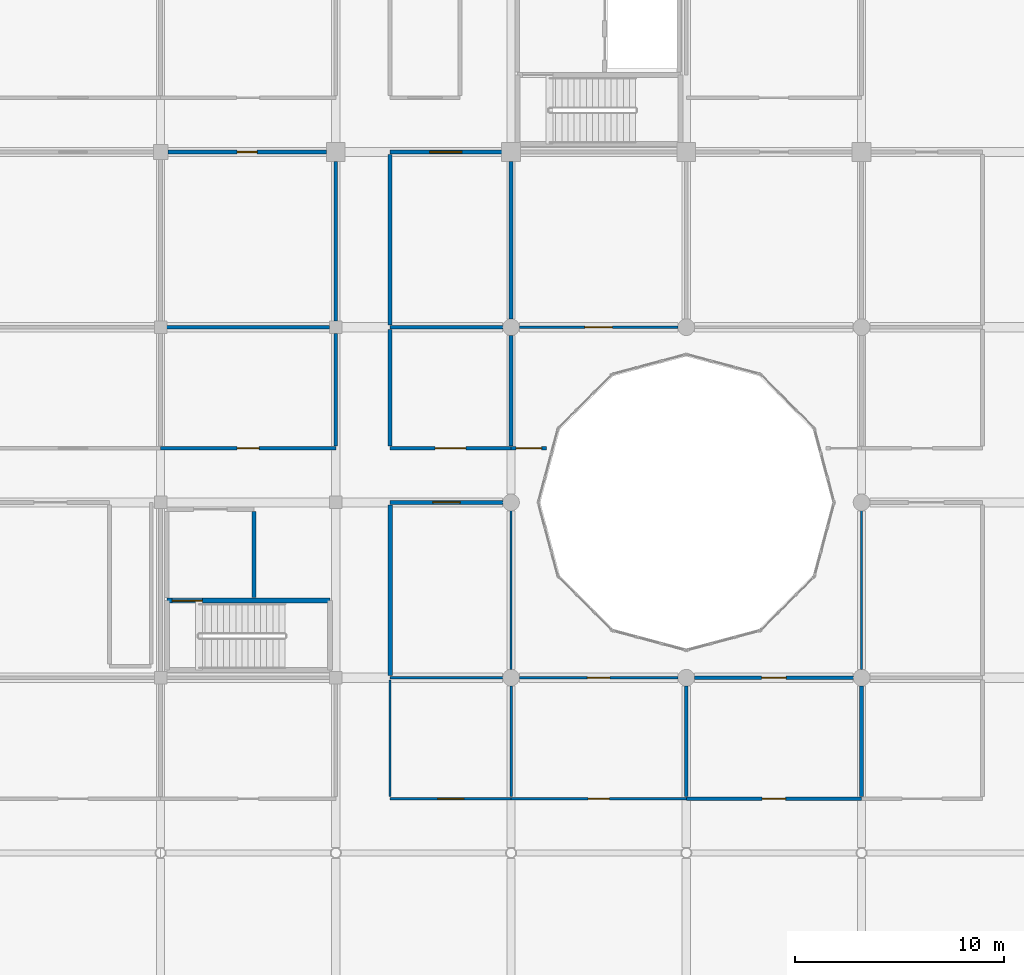
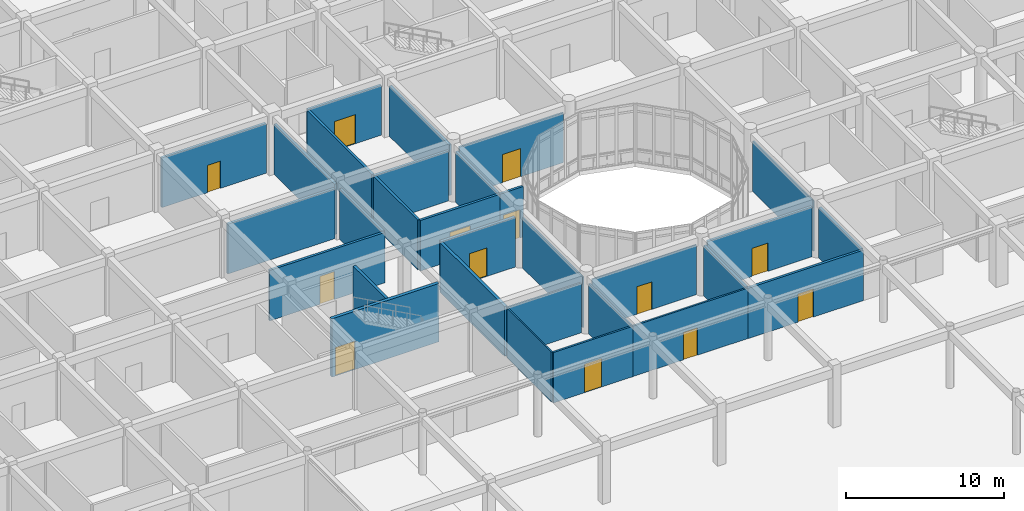
# One storey, part 102 of 138: 30 walls, 13 doors, 13 openings.
"""IFC4 building model written with IfcOpenShell, lengths in metres."""

from ifc_helpers import new_model, si_unit, direction, frame, frame_2d, origin, place, context, subcontext, project, spatial, rectangle, extrude, material, layer, layer_set, type_object, element, fill, save


model = new_model("IFC4")

# Units and contexts
model_context = context("Model", 3, precision=1e-05, world=origin(), true_north=direction((0.0, 1.0)))
body_context = subcontext(model_context, "Body", "Model", "MODEL_VIEW")
ifc_project = project(units=[si_unit("LENGTHUNIT", "METRE"), si_unit("AREAUNIT", "SQUARE_METRE"), si_unit("VOLUMEUNIT", "CUBIC_METRE"), si_unit("PLANEANGLEUNIT", "RADIAN"), si_unit("MASSUNIT", "GRAM", prefix="KILO")], contexts=[model_context])

# Site, building, storey
site_placement = place(None, origin())
site = spatial("IfcSite", under=ifc_project, at=site_placement, CompositionType="ELEMENT")
building_placement = place(site_placement, origin())
building = spatial("IfcBuilding", under=site, at=building_placement, Name="Bramfleet General Hospital", CompositionType="ELEMENT")
storey_placement = place(building_placement, origin())
storey = spatial("IfcBuildingStorey", under=building, at=storey_placement, Name="L00", CompositionType="ELEMENT", Elevation=0.0)

# Walls
ifc_material_1 = material(Name="Concrete C35/45", Category="concrete")
ifc_layer_1 = layer(ifc_material_1, 0.219970703125, Name="WT-IW-01")
ifc_layer_set_1 = layer_set([ifc_layer_1], Name="Concrete C35/45")
wall_type_1 = type_object("IfcWallType", Name="WT-IW-01", PredefinedType="PARTITIONING", material=ifc_layer_set_1)
wall_1_placement = place(storey_placement, frame((69.800048828125, 67.31494140625, 0.0), z_axis=(0.0, 0.0, 1.0), x_axis=(0.0, 1.0, 0.0)))
element("IfcWall", 1, at=wall_1_placement, inside=storey, type_object=wall_type_1, Name="L00 Interior Partition IW-L00-1045", PredefinedType="PARTITIONING", context=body_context, shape_type="SweptSolid", body=[
    extrude(rectangle(XDim=8.170166015625, YDim=0.219970703125, at=frame_2d((4.0849609375, 0.0))), origin(), (0.0, 0.0, 1.0), 3.840087890625),
])
ifc_layer_2 = layer(ifc_material_1, 0.205078125, Name="WT-IW-02")
ifc_layer_set_2 = layer_set([ifc_layer_2], Name="Concrete C35/45")
wall_type_2 = type_object("IfcWallType", Name="WT-IW-02", PredefinedType="PARTITIONING", material=ifc_layer_set_2)
wall_2_placement = place(storey_placement, frame((63.280029296875, 71.0400390625, 0.0), z_axis=(0.0, 0.0, 1.0), x_axis=(0.0, 1.0, 0.0)))
element("IfcWall", 2, at=wall_2_placement, inside=storey, type_object=wall_type_2, Name="L00 C13 Lobby East Shaft Wall", PredefinedType="PARTITIONING", context=body_context, shape_type="SweptSolid", body=[
    extrude(rectangle(XDim=4.119873046875, YDim=0.205078125, at=frame_2d((2.06005859375, 0.0))), origin(), (0.0, 0.0, 1.0), 4.489990234375),
])

# Wall, opening, door
wall_3_placement = place(storey_placement, frame((69.800048828125, 75.60009765625, 0.0), z_axis=(0.0, 0.0, 1.0), x_axis=(1.0, 0.0, 0.0)))
wall_3 = element("IfcWall", 3, at=wall_3_placement, inside=storey, type_object=wall_type_2, Name="L00 Interior Partition IW-L00-0758", PredefinedType="PARTITIONING", context=body_context, shape_type="SweptSolid", body=[
    extrude(rectangle(XDim=5.405029296875, YDim=0.205078125, at=frame_2d((2.70263671875, 0.0))), origin(), (0.0, 0.0, 1.0), 3.840087890625),
])
opening_1_placement = place(wall_3_placement, frame((2.052490234375, 0.0, 0.0)))
opening_1 = element("IfcOpeningElement", 4, at=opening_1_placement, cuts=wall_3, Name="Opening D0495", PredefinedType="OPENING", context=body_context, shape_type="SweptSolid", body=[
    extrude(rectangle(XDim=1.300048828125, YDim=2.199951171875, at=frame_2d((0.64990234375, 1.10009765625))), frame((0.0, 0.112548828125, 0.0), z_axis=(0.0, -1.0, 0.0), x_axis=(1.0, 0.0, 0.0)), (0.0, 0.0, 1.0), 0.22509765625),
])
ifc_material_2 = material(Name="Stainless steel and acoustic timber leaf", Category="steel")
door_type_1 = type_object("IfcDoorType", Name="DR-D-15", OperationType="NOTDEFINED", PredefinedType="DOOR", material=ifc_material_2)
door_1_placement = place(opening_1_placement, origin())
door_1 = element("IfcDoor", 5, at=door_1_placement, inside=storey, type_object=door_type_1, Name="Community Health Education Seminar Room 0808 Door D0495", OperationType="SINGLE_SWING_RIGHT", OverallHeight=2.199951171875, OverallWidth=1.300048828125, PredefinedType="DOOR", context=body_context, shape_type="SweptSolid", body=[
    extrude(rectangle(XDim=1.300048828125, YDim=2.199951171875, at=frame_2d((0.64990234375, 1.10009765625))), frame((0.0, 0.02490234375, 0.0), z_axis=(0.0, -1.0, 0.0), x_axis=(1.0, 0.0, 0.0)), (0.0, 0.0, 1.0), 0.050048828125),
])
fill(opening_1, door_1)

ifc_layer_3 = layer(ifc_material_1, 0.179931640625, Name="WT-IW-04")
ifc_layer_set_3 = layer_set([ifc_layer_3], Name="Concrete C35/45")
wall_type_3 = type_object("IfcWallType", Name="WT-IW-04", PredefinedType="PARTITIONING", material=ifc_layer_set_3)
wall_4_placement = place(storey_placement, frame((84.0, 61.39990234375, 0.0), z_axis=(0.0, 0.0, 1.0), x_axis=(1.0, 0.0, 0.0)))
wall_4 = element("IfcWall", 6, at=wall_4_placement, inside=storey, type_object=wall_type_3, Name="L00 Interior Partition IW-L00-0730", PredefinedType="PARTITIONING", context=body_context, shape_type="SweptSolid", body=[
    extrude(rectangle(XDim=8.39990234375, YDim=0.179931640625, at=frame_2d((4.199951171875, 0.0))), origin(), (0.0, 0.0, 1.0), 3.889892578125),
])
opening_2_placement = place(wall_4_placement, frame((3.639892578125, 0.0, 0.0)))
opening_2 = element("IfcOpeningElement", 7, at=opening_2_placement, cuts=wall_4, Name="Opening D0507", PredefinedType="OPENING", context=body_context, shape_type="SweptSolid", body=[
    extrude(rectangle(XDim=1.1201171875, YDim=2.179931640625, at=frame_2d((0.56005859375, 1.08984375))), frame((0.0, 0.099853515625, 0.0), z_axis=(0.0, -1.0, 0.0), x_axis=(1.0, 0.0, 0.0)), (0.0, 0.0, 1.0), 0.199951171875),
])
door_type_2 = type_object("IfcDoorType", Name="DR-D-27", OperationType="NOTDEFINED", PredefinedType="DOOR", material=ifc_material_2)
door_2_placement = place(opening_2_placement, origin())
door_2 = element("IfcDoor", 8, at=door_2_placement, inside=storey, type_object=door_type_2, Name="Diagnostic Ultrasound and Fluoroscopy 1007 Door D0507", OperationType="SINGLE_SWING_RIGHT", OverallHeight=2.179931640625, OverallWidth=1.1201171875, PredefinedType="DOOR", context=body_context, shape_type="SweptSolid", body=[
    extrude(rectangle(XDim=1.1201171875, YDim=2.179931640625, at=frame_2d((0.56005859375, 1.08984375))), frame((0.0, 0.02490234375, 0.0), z_axis=(0.0, -1.0, 0.0), x_axis=(1.0, 0.0, 0.0)), (0.0, 0.0, 1.0), 0.050048828125),
])
fill(opening_2, door_2)

wall_5_placement = place(storey_placement, frame((84.39501953125, 67.199951171875, 0.0), z_axis=(0.0, 0.0, 1.0), x_axis=(1.0, 0.0, 0.0)))
wall_5 = element("IfcWall", 9, at=wall_5_placement, inside=storey, type_object=wall_type_3, Name="L00 Interior Partition IW-L00-0745", PredefinedType="PARTITIONING", context=body_context, shape_type="SweptSolid", body=[
    extrude(rectangle(XDim=7.60986328125, YDim=0.179931640625, at=frame_2d((3.804931640625, 0.0))), origin(), (0.0, 0.0, 1.0), 3.840087890625),
])
opening_3_placement = place(wall_5_placement, frame((3.215087890625, 0.0, 0.0)))
opening_3 = element("IfcOpeningElement", 10, at=opening_3_placement, cuts=wall_5, Name="Opening D0508", PredefinedType="OPENING", context=body_context, shape_type="SweptSolid", body=[
    extrude(rectangle(XDim=1.179931640625, YDim=2.179931640625, at=frame_2d((0.58984375, 1.08984375))), frame((0.0, 0.099853515625, 0.0), z_axis=(0.0, -1.0, 0.0), x_axis=(1.0, 0.0, 0.0)), (0.0, 0.0, 1.0), 0.199951171875),
])
door_type_3 = type_object("IfcDoorType", Name="DR-D-28", OperationType="NOTDEFINED", PredefinedType="DOOR", material=ifc_material_2)
door_3_placement = place(opening_3_placement, origin())
door_3 = element("IfcDoor", 11, at=door_3_placement, inside=storey, type_object=door_type_3, Name="Courtyard Waiting Lounge L00-1008 Door D0508", OperationType="SINGLE_SWING_LEFT", OverallHeight=2.179931640625, OverallWidth=1.179931640625, PredefinedType="DOOR", context=body_context, shape_type="SweptSolid", body=[
    extrude(rectangle(XDim=1.179931640625, YDim=2.179931640625, at=frame_2d((0.58984375, 1.08984375))), frame((0.0, 0.02490234375, 0.0), z_axis=(0.0, -1.0, 0.0), x_axis=(1.0, 0.0, 0.0)), (0.0, 0.0, 1.0), 0.050048828125),
])
fill(opening_3, door_3)

wall_6_placement = place(storey_placement, frame((58.800048828125, 78.199951171875, 0.0), z_axis=(0.0, 0.0, 1.0), x_axis=(1.0, 0.0, 0.0)))
wall_6 = element("IfcWall", 12, at=wall_6_placement, inside=storey, type_object=wall_type_3, Name="L00 Interior Partition IW-L00-0771", PredefinedType="PARTITIONING", context=body_context, shape_type="SweptSolid", body=[
    extrude(rectangle(XDim=8.39990234375, YDim=0.179931640625, at=frame_2d((4.199951171875, 0.0))), origin(), (0.0, 0.0, 1.0), 3.889892578125),
])
opening_4_placement = place(wall_6_placement, frame((3.675048828125, 0.0, 0.0)))
opening_4 = element("IfcOpeningElement", 13, at=opening_4_placement, cuts=wall_6, Name="Opening D0489", PredefinedType="OPENING", context=body_context, shape_type="SweptSolid", body=[
    extrude(rectangle(XDim=1.050048828125, YDim=2.14990234375, at=frame_2d((0.52490234375, 1.074951171875))), frame((0.0, 0.099853515625, 0.0), z_axis=(0.0, -1.0, 0.0), x_axis=(1.0, 0.0, 0.0)), (0.0, 0.0, 1.0), 0.199951171875),
])
door_type_4 = type_object("IfcDoorType", Name="DR-D-09", OperationType="NOTDEFINED", PredefinedType="DOOR", material=ifc_material_2)
door_4_placement = place(opening_4_placement, origin())
door_4 = element("IfcDoor", 14, at=door_4_placement, inside=storey, type_object=door_type_4, Name="Diagnostic Ultrasound and Fluoroscopy 0709 Door D0489", OperationType="SINGLE_SWING_RIGHT", OverallHeight=2.14990234375, OverallWidth=1.050048828125, PredefinedType="DOOR", context=body_context, shape_type="SweptSolid", body=[
    extrude(rectangle(XDim=1.050048828125, YDim=2.14990234375, at=frame_2d((0.52490234375, 1.074951171875))), frame((0.0, 0.02490234375, 0.0), z_axis=(0.0, -1.0, 0.0), x_axis=(1.0, 0.0, 0.0)), (0.0, 0.0, 1.0), 0.050048828125),
])
fill(opening_4, door_4)

wall_7_placement = place(storey_placement, frame((69.800048828125, 78.199951171875, 0.0), z_axis=(0.0, 0.0, 1.0), x_axis=(1.0, 0.0, 0.0)))
wall_7 = element("IfcWall", 15, at=wall_7_placement, inside=storey, type_object=wall_type_3, Name="L00 Interior Partition IW-L00-0772", PredefinedType="PARTITIONING", context=body_context, shape_type="SweptSolid", body=[
    extrude(rectangle(XDim=5.800048828125, YDim=0.179931640625, at=frame_2d((2.89990234375, 0.0))), origin(), (0.0, 0.0, 1.0), 3.889892578125),
])
opening_5_placement = place(wall_7_placement, frame((2.159912109375, 0.0, 0.0)))
opening_5 = element("IfcOpeningElement", 16, at=opening_5_placement, cuts=wall_7, Name="Opening D0496", PredefinedType="OPENING", context=body_context, shape_type="SweptSolid", body=[
    extrude(rectangle(XDim=1.47998046875, YDim=2.219970703125, at=frame_2d((0.739990234375, 1.10986328125))), frame((0.0, 0.099853515625, 0.0), z_axis=(0.0, -1.0, 0.0), x_axis=(1.0, 0.0, 0.0)), (0.0, 0.0, 1.0), 0.199951171875),
])
door_type_5 = type_object("IfcDoorType", Name="DR-D-16", OperationType="NOTDEFINED", PredefinedType="DOOR", material=ifc_material_2)
door_5_placement = place(opening_5_placement, origin())
door_5 = element("IfcDoor", 17, at=door_5_placement, inside=storey, type_object=door_type_5, Name="Diagnostic Ultrasound and Fluoroscopy 0809 Door D0496", OperationType="SINGLE_SWING_LEFT", OverallHeight=2.219970703125, OverallWidth=1.47998046875, PredefinedType="DOOR", context=body_context, shape_type="SweptSolid", body=[
    extrude(rectangle(XDim=1.47998046875, YDim=2.219970703125, at=frame_2d((0.739990234375, 1.10986328125))), frame((0.0, 0.02490234375, 0.0), z_axis=(0.0, -1.0, 0.0), x_axis=(1.0, 0.0, 0.0)), (0.0, 0.0, 1.0), 0.050048828125),
])
fill(opening_5, door_5)

# Walls
wall_8_placement = place(storey_placement, frame((59.094970703125, 84.0, 0.0), z_axis=(0.0, 0.0, 1.0), x_axis=(1.0, 0.0, 0.0)))
element("IfcWall", 18, at=wall_8_placement, inside=storey, type_object=wall_type_3, Name="L00 Interior Partition IW-L00-0788", PredefinedType="PARTITIONING", context=body_context, shape_type="SweptSolid", body=[
    extrude(rectangle(XDim=7.81005859375, YDim=0.179931640625, at=frame_2d((3.905029296875, 0.0))), origin(), (0.0, 0.0, 1.0), 3.840087890625),
])
wall_9_placement = place(storey_placement, frame((69.800048828125, 84.0, 0.0), z_axis=(0.0, 0.0, 1.0), x_axis=(1.0, 0.0, 0.0)))
element("IfcWall", 19, at=wall_9_placement, inside=storey, type_object=wall_type_3, Name="L00 Interior Partition IW-L00-0789", PredefinedType="PARTITIONING", context=body_context, shape_type="SweptSolid", body=[
    extrude(rectangle(XDim=5.405029296875, YDim=0.179931640625, at=frame_2d((2.70263671875, 0.0))), origin(), (0.0, 0.0, 1.0), 3.840087890625),
])

# Wall, opening, door
wall_10_placement = place(storey_placement, frame((59.14501953125, 92.39990234375, 0.0), z_axis=(0.0, 0.0, 1.0), x_axis=(1.0, 0.0, 0.0)))
wall_10 = element("IfcWall", 20, at=wall_10_placement, inside=storey, type_object=wall_type_3, Name="L00 Interior Partition IW-L00-0807", PredefinedType="PARTITIONING", context=body_context, shape_type="SweptSolid", body=[
    extrude(rectangle(XDim=7.60986328125, YDim=0.179931640625, at=frame_2d((3.804931640625, 0.0))), origin(), (0.0, 0.0, 1.0), 3.840087890625),
])
opening_6_placement = place(wall_10_placement, frame((3.330078125, 0.0, 0.0)))
opening_6 = element("IfcOpeningElement", 21, at=opening_6_placement, cuts=wall_10, Name="Opening D0490", PredefinedType="OPENING", context=body_context, shape_type="SweptSolid", body=[
    extrude(rectangle(XDim=0.949951171875, YDim=2.10009765625, at=frame_2d((0.47509765625, 1.050048828125))), frame((0.0, 0.099853515625, 0.0), z_axis=(0.0, -1.0, 0.0), x_axis=(1.0, 0.0, 0.0)), (0.0, 0.0, 1.0), 0.199951171875),
])
door_type_6 = type_object("IfcDoorType", Name="DR-D-10", OperationType="NOTDEFINED", PredefinedType="DOOR", material=ifc_material_2)
door_6_placement = place(opening_6_placement, origin())
door_6 = element("IfcDoor", 22, at=door_6_placement, inside=storey, type_object=door_type_6, Name="Diagnostic Ultrasound and Fluoroscopy 0710 Door D0490", OperationType="SINGLE_SWING_LEFT", OverallHeight=2.10009765625, OverallWidth=0.949951171875, PredefinedType="DOOR", context=body_context, shape_type="SweptSolid", body=[
    extrude(rectangle(XDim=0.949951171875, YDim=2.10009765625, at=frame_2d((0.47509765625, 1.050048828125))), frame((0.0, 0.02490234375, 0.0), z_axis=(0.0, -1.0, 0.0), x_axis=(1.0, 0.0, 0.0)), (0.0, 0.0, 1.0), 0.050048828125),
])
fill(opening_6, door_6)

wall_11_placement = place(storey_placement, frame((69.800048828125, 92.39990234375, 0.0), z_axis=(0.0, 0.0, 1.0), x_axis=(1.0, 0.0, 0.0)))
wall_11 = element("IfcWall", 23, at=wall_11_placement, inside=storey, type_object=wall_type_3, Name="L00 Interior Partition IW-L00-0808", PredefinedType="PARTITIONING", context=body_context, shape_type="SweptSolid", body=[
    extrude(rectangle(XDim=5.35498046875, YDim=0.179931640625, at=frame_2d((2.677490234375, 0.0))), origin(), (0.0, 0.0, 1.0), 3.840087890625),
])
opening_7_placement = place(wall_11_placement, frame((1.907470703125, 0.0, 0.0)))
opening_7 = element("IfcOpeningElement", 24, at=opening_7_placement, cuts=wall_11, Name="Opening D0497", PredefinedType="OPENING", context=body_context, shape_type="SweptSolid", body=[
    extrude(rectangle(XDim=1.5400390625, YDim=2.239990234375, at=frame_2d((0.77001953125, 1.1201171875))), frame((0.0, 0.099853515625, 0.0), z_axis=(0.0, -1.0, 0.0), x_axis=(1.0, 0.0, 0.0)), (0.0, 0.0, 1.0), 0.199951171875),
])
door_type_7 = type_object("IfcDoorType", Name="DR-D-17", OperationType="NOTDEFINED", PredefinedType="DOOR", material=ifc_material_2)
door_7_placement = place(opening_7_placement, origin())
door_7 = element("IfcDoor", 25, at=door_7_placement, inside=storey, type_object=door_type_7, Name="Diagnostic Ultrasound and Fluoroscopy 0810 Door D0497", OperationType="SINGLE_SWING_RIGHT", OverallHeight=2.239990234375, OverallWidth=1.5400390625, PredefinedType="DOOR", context=body_context, shape_type="SweptSolid", body=[
    extrude(rectangle(XDim=1.5400390625, YDim=2.239990234375, at=frame_2d((0.77001953125, 1.1201171875))), frame((0.0, 0.02490234375, 0.0), z_axis=(0.0, -1.0, 0.0), x_axis=(1.0, 0.0, 0.0)), (0.0, 0.0, 1.0), 0.050048828125),
])
fill(opening_7, door_7)

# Walls
wall_12_placement = place(storey_placement, frame((67.199951171875, 78.31494140625, 0.0), z_axis=(0.0, 0.0, 1.0), x_axis=(0.0, 1.0, 0.0)))
element("IfcWall", 26, at=wall_12_placement, inside=storey, type_object=wall_type_3, Name="L00 Interior Partition IW-L00-1039", PredefinedType="PARTITIONING", context=body_context, shape_type="SweptSolid", body=[
    extrude(rectangle(XDim=5.39013671875, YDim=0.179931640625, at=frame_2d((2.695068359375, 0.0))), origin(), (0.0, 0.0, 1.0), 3.889892578125),
])
wall_13_placement = place(storey_placement, frame((67.199951171875, 84.294921875, 0.0), z_axis=(0.0, 0.0, 1.0), x_axis=(0.0, 1.0, 0.0)))
element("IfcWall", 27, at=wall_13_placement, inside=storey, type_object=wall_type_3, Name="L00 Interior Partition IW-L00-1040", PredefinedType="PARTITIONING", context=body_context, shape_type="SweptSolid", body=[
    extrude(rectangle(XDim=7.66015625, YDim=0.179931640625, at=frame_2d((3.830078125, 0.0))), origin(), (0.0, 0.0, 1.0), 3.889892578125),
])
wall_14_placement = place(storey_placement, frame((69.800048828125, 78.31494140625, 0.0), z_axis=(0.0, 0.0, 1.0), x_axis=(0.0, 1.0, 0.0)))
element("IfcWall", 28, at=wall_14_placement, inside=storey, type_object=wall_type_3, Name="L00 Interior Partition IW-L00-1046", PredefinedType="PARTITIONING", context=body_context, shape_type="SweptSolid", body=[
    extrude(rectangle(XDim=5.570068359375, YDim=0.179931640625, at=frame_2d((2.78515625, 0.0))), origin(), (0.0, 0.0, 1.0), 3.840087890625),
])
wall_15_placement = place(storey_placement, frame((69.800048828125, 84.114990234375, 0.0), z_axis=(0.0, 0.0, 1.0), x_axis=(0.0, 1.0, 0.0)))
element("IfcWall", 29, at=wall_15_placement, inside=storey, type_object=wall_type_3, Name="L00 Interior Partition IW-L00-1047", PredefinedType="PARTITIONING", context=body_context, shape_type="SweptSolid", body=[
    extrude(rectangle(XDim=8.169921875, YDim=0.179931640625, at=frame_2d((4.0849609375, 0.0))), origin(), (0.0, 0.0, 1.0), 3.840087890625),
])
wall_16_placement = place(storey_placement, frame((75.60009765625, 78.31494140625, 0.0), z_axis=(0.0, 0.0, 1.0), x_axis=(0.0, 1.0, 0.0)))
element("IfcWall", 30, at=wall_16_placement, inside=storey, type_object=wall_type_3, Name="L00 Interior Partition IW-L00-1056", PredefinedType="PARTITIONING", context=body_context, shape_type="SweptSolid", body=[
    extrude(rectangle(XDim=5.2900390625, YDim=0.179931640625, at=frame_2d((2.64501953125, 0.0))), origin(), (0.0, 0.0, 1.0), 3.889892578125),
])
wall_17_placement = place(storey_placement, frame((75.60009765625, 84.39501953125, 0.0), z_axis=(0.0, 0.0, 1.0), x_axis=(0.0, 1.0, 0.0)))
element("IfcWall", 31, at=wall_17_placement, inside=storey, type_object=wall_type_3, Name="L00 Interior Partition IW-L00-1057", PredefinedType="PARTITIONING", context=body_context, shape_type="SweptSolid", body=[
    extrude(rectangle(XDim=7.56005859375, YDim=0.179931640625, at=frame_2d((3.780029296875, 0.0))), origin(), (0.0, 0.0, 1.0), 3.889892578125),
])
for number, where, z_axis, x_axis, name in (
    (32, (84.0, 61.514892578125, 0.0), (0.0, 0.0, 1.0), (0.0, 1.0, 0.0), "L00 Interior Partition IW-L00-1060"),
    (33, (92.39990234375, 61.514892578125, 0.0), (0.0, 0.0, 1.0), (0.0, 1.0, 0.0), "L00 Interior Partition IW-L00-1067"),
):
    element("IfcWall", number, at=place(storey_placement, frame(where, z_axis=z_axis, x_axis=x_axis)), inside=storey, type_object=wall_type_3, Name=name, PredefinedType="PARTITIONING", context=body_context, shape_type="SweptSolid", body=[
        extrude(rectangle(XDim=5.2900390625, YDim=0.179931640625, at=frame_2d((2.64501953125, 0.0))), origin(), (0.0, 0.0, 1.0), 3.889892578125),
    ])

# Wall, opening, door
ifc_material_3 = material(Name="Gypsum plasterboard on acoustic steel studs", Category="steel")
ifc_layer_4 = layer(ifc_material_3, 0.169921875, Name="WT-IW-05")
ifc_layer_set_4 = layer_set([ifc_layer_4], Name="Gypsum plasterboard on acoustic steel studs")
wall_type_4 = type_object("IfcWallType", Name="WT-IW-05", PredefinedType="PARTITIONING", material=ifc_layer_set_4)
wall_18_placement = place(storey_placement, frame((75.60009765625, 78.199951171875, 0.0), z_axis=(0.0, 0.0, 1.0), x_axis=(1.0, 0.0, 0.0)))
wall_18 = element("IfcWall", 34, at=wall_18_placement, inside=storey, type_object=wall_type_4, Name="L00 Interior Partition IW-L00-0773", PredefinedType="PARTITIONING", context=body_context, shape_type="SweptSolid", body=[
    extrude(rectangle(XDim=1.70654296875, YDim=0.169921875, at=frame_2d((0.853271484375, 0.0))), origin(), (0.0, 0.0, 1.0), 3.889892578125),
])
opening_8_placement = place(wall_18_placement, frame((0.243408203125, 0.0, 0.0)))
opening_8 = element("IfcOpeningElement", 35, at=opening_8_placement, cuts=wall_18, Name="Opening D0503", PredefinedType="OPENING", context=body_context, shape_type="SweptSolid", body=[
    extrude(rectangle(XDim=1.219970703125, YDim=2.179931640625, at=frame_2d((0.60986328125, 1.08984375))), frame((0.0, 0.094970703125, 0.0), z_axis=(0.0, -1.0, 0.0), x_axis=(1.0, 0.0, 0.0)), (0.0, 0.0, 1.0), 0.18994140625),
])
door_type_8 = type_object("IfcDoorType", Name="DR-D-23", OperationType="NOTDEFINED", PredefinedType="DOOR", material=ifc_material_2)
door_8_placement = place(opening_8_placement, origin())
door_8 = element("IfcDoor", 36, at=door_8_placement, inside=storey, type_object=door_type_8, Name="Courtyard Waiting Lounge L00-0909 Door D0503", OperationType="SINGLE_SWING_RIGHT", OverallHeight=2.179931640625, OverallWidth=1.219970703125, PredefinedType="DOOR", context=body_context, shape_type="SweptSolid", body=[
    extrude(rectangle(XDim=1.219970703125, YDim=2.179931640625, at=frame_2d((0.60986328125, 1.08984375))), frame((0.0, 0.02490234375, 0.0), z_axis=(0.0, -1.0, 0.0), x_axis=(1.0, 0.0, 0.0)), (0.0, 0.0, 1.0), 0.050048828125),
])
fill(opening_8, door_8)

ifc_layer_5 = layer(ifc_material_3, 0.139892578125, Name="WT-IW-08")
ifc_layer_set_5 = layer_set([ifc_layer_5], Name="Gypsum plasterboard on acoustic steel studs")
wall_type_5 = type_object("IfcWallType", Name="WT-IW-08", PredefinedType="PARTITIONING", material=ifc_layer_set_5)
wall_19_placement = place(storey_placement, frame((69.800048828125, 61.39990234375, 0.0), z_axis=(0.0, 0.0, 1.0), x_axis=(1.0, 0.0, 0.0)))
wall_19 = element("IfcWall", 37, at=wall_19_placement, inside=storey, type_object=wall_type_5, Name="L00 Interior Partition IW-L00-0728", PredefinedType="PARTITIONING", context=body_context, shape_type="SweptSolid", body=[
    extrude(rectangle(XDim=5.800048828125, YDim=0.139892578125, at=frame_2d((2.89990234375, 0.0))), origin(), (0.0, 0.0, 1.0), 3.889892578125),
])
opening_9_placement = place(wall_19_placement, frame((2.27490234375, 0.0, 0.0)))
opening_9 = element("IfcOpeningElement", 38, at=opening_9_placement, cuts=wall_19, Name="Opening D0494", PredefinedType="OPENING", context=body_context, shape_type="SweptSolid", body=[
    extrude(rectangle(XDim=1.25, YDim=2.199951171875, at=frame_2d((0.625, 1.10009765625))), frame((0.0, 0.079833984375, 0.0), z_axis=(0.0, -1.0, 0.0), x_axis=(1.0, 0.0, 0.0)), (0.0, 0.0, 1.0), 0.159912109375),
])
door_type_9 = type_object("IfcDoorType", Name="DR-D-14", OperationType="NOTDEFINED", PredefinedType="DOOR", material=ifc_material_2)
door_9_placement = place(opening_9_placement, origin())
door_9 = element("IfcDoor", 39, at=door_9_placement, inside=storey, type_object=door_type_9, Name="Community Health Education Seminar Room 0807 Door D0494", OperationType="SINGLE_SWING_LEFT", OverallHeight=2.199951171875, OverallWidth=1.25, PredefinedType="DOOR", context=body_context, shape_type="SweptSolid", body=[
    extrude(rectangle(XDim=1.25, YDim=2.199951171875, at=frame_2d((0.625, 1.10009765625))), frame((0.0, 0.02490234375, 0.0), z_axis=(0.0, -1.0, 0.0), x_axis=(1.0, 0.0, 0.0)), (0.0, 0.0, 1.0), 0.050048828125),
])
fill(opening_9, door_9)

ifc_layer_6 = layer(ifc_material_3, 0.1298828125, Name="WT-IW-09")
ifc_layer_set_6 = layer_set([ifc_layer_6], Name="Gypsum plasterboard on acoustic steel studs")
wall_type_6 = type_object("IfcWallType", Name="WT-IW-09", PredefinedType="PARTITIONING", material=ifc_layer_set_6)
wall_20_placement = place(storey_placement, frame((75.60009765625, 61.39990234375, 0.0), z_axis=(0.0, 0.0, 1.0), x_axis=(1.0, 0.0, 0.0)))
wall_20 = element("IfcWall", 40, at=wall_20_placement, inside=storey, type_object=wall_type_6, Name="L00 Interior Partition IW-L00-0729", PredefinedType="PARTITIONING", context=body_context, shape_type="SweptSolid", body=[
    extrude(rectangle(XDim=8.39990234375, YDim=0.1298828125, at=frame_2d((4.199951171875, 0.0))), origin(), (0.0, 0.0, 1.0), 3.889892578125),
])
opening_10_placement = place(wall_20_placement, frame((3.68994140625, 0.0, 0.0)))
opening_10 = element("IfcOpeningElement", 41, at=opening_10_placement, cuts=wall_20, Name="Opening D0501", PredefinedType="OPENING", context=body_context, shape_type="SweptSolid", body=[
    extrude(rectangle(XDim=1.02001953125, YDim=2.1201171875, at=frame_2d((0.510009765625, 1.06005859375))), frame((0.0, 0.074951171875, 0.0), z_axis=(0.0, -1.0, 0.0), x_axis=(1.0, 0.0, 0.0)), (0.0, 0.0, 1.0), 0.14990234375),
])
door_type_10 = type_object("IfcDoorType", Name="DR-D-21", OperationType="NOTDEFINED", PredefinedType="DOOR", material=ifc_material_2)
door_10_placement = place(opening_10_placement, origin())
door_10 = element("IfcDoor", 42, at=door_10_placement, inside=storey, type_object=door_type_10, Name="Community Health Education Seminar Room 0907 Door D0501", OperationType="SINGLE_SWING_RIGHT", OverallHeight=2.1201171875, OverallWidth=1.02001953125, PredefinedType="DOOR", context=body_context, shape_type="SweptSolid", body=[
    extrude(rectangle(XDim=1.02001953125, YDim=2.1201171875, at=frame_2d((0.510009765625, 1.06005859375))), frame((0.0, 0.02490234375, 0.0), z_axis=(0.0, -1.0, 0.0), x_axis=(1.0, 0.0, 0.0)), (0.0, 0.0, 1.0), 0.050048828125),
])
fill(opening_10, door_10)

ifc_layer_7 = layer(ifc_material_3, 0.1201171875, Name="WT-IW-10")
ifc_layer_set_7 = layer_set([ifc_layer_7], Name="Gypsum plasterboard on acoustic steel studs")
wall_type_7 = type_object("IfcWallType", Name="WT-IW-10", PredefinedType="PARTITIONING", material=ifc_layer_set_7)
wall_21_placement = place(storey_placement, frame((75.9951171875, 84.0, 0.0), z_axis=(0.0, 0.0, 1.0), x_axis=(1.0, 0.0, 0.0)))
wall_21 = element("IfcWall", 43, at=wall_21_placement, inside=storey, type_object=wall_type_7, Name="L00 Interior Partition IW-L00-0790", PredefinedType="PARTITIONING", context=body_context, shape_type="SweptSolid", body=[
    extrude(rectangle(XDim=7.60986328125, YDim=0.1201171875, at=frame_2d((3.804931640625, 0.0))), origin(), (0.0, 0.0, 1.0), 3.840087890625),
])
opening_11_placement = place(wall_21_placement, frame((3.14501953125, 0.0, 0.0)))
opening_11 = element("IfcOpeningElement", 44, at=opening_11_placement, cuts=wall_21, Name="Opening D0504", PredefinedType="OPENING", context=body_context, shape_type="SweptSolid", body=[
    extrude(rectangle(XDim=1.320068359375, YDim=2.179931640625, at=frame_2d((0.66015625, 1.08984375))), frame((0.0, 0.070068359375, 0.0), z_axis=(0.0, -1.0, 0.0), x_axis=(1.0, 0.0, 0.0)), (0.0, 0.0, 1.0), 0.14013671875),
])
door_type_11 = type_object("IfcDoorType", Name="DR-D-24", OperationType="NOTDEFINED", PredefinedType="DOOR", material=ifc_material_2)
door_11_placement = place(opening_11_placement, origin())
door_11 = element("IfcDoor", 45, at=door_11_placement, inside=storey, type_object=door_type_11, Name="Diagnostic Ultrasound and Fluoroscopy 0910 Door D0504", OperationType="SINGLE_SWING_LEFT", OverallHeight=2.179931640625, OverallWidth=1.320068359375, PredefinedType="DOOR", context=body_context, shape_type="SweptSolid", body=[
    extrude(rectangle(XDim=1.320068359375, YDim=2.179931640625, at=frame_2d((0.66015625, 1.08984375))), frame((0.0, 0.02490234375, 0.0), z_axis=(0.0, -1.0, 0.0), x_axis=(1.0, 0.0, 0.0)), (0.0, 0.0, 1.0), 0.050048828125),
])
fill(opening_11, door_11)

# Walls
wall_22_placement = place(storey_placement, frame((75.60009765625, 61.514892578125, 0.0), z_axis=(0.0, 0.0, 1.0), x_axis=(0.0, 1.0, 0.0)))
element("IfcWall", 46, at=wall_22_placement, inside=storey, type_object=wall_type_7, Name="L00 Interior Partition IW-L00-1054", PredefinedType="PARTITIONING", context=body_context, shape_type="SweptSolid", body=[
    extrude(rectangle(XDim=5.2900390625, YDim=0.1201171875, at=frame_2d((2.64501953125, 0.0))), origin(), (0.0, 0.0, 1.0), 3.889892578125),
])
ifc_layer_8 = layer(ifc_material_3, 0.112060546875, Name="WT-IW-11")
ifc_layer_set_8 = layer_set([ifc_layer_8], Name="Gypsum plasterboard on acoustic steel studs")
wall_type_8 = type_object("IfcWallType", Name="WT-IW-11", PredefinedType="PARTITIONING", material=ifc_layer_set_8)
wall_23_placement = place(storey_placement, frame((69.800048828125, 67.199951171875, 0.0), z_axis=(0.0, 0.0, 1.0), x_axis=(1.0, 0.0, 0.0)))
element("IfcWall", 47, at=wall_23_placement, inside=storey, type_object=wall_type_8, Name="L00 Interior Partition IW-L00-0743", PredefinedType="PARTITIONING", context=body_context, shape_type="SweptSolid", body=[
    extrude(rectangle(XDim=5.405029296875, YDim=0.112060546875, at=frame_2d((2.70263671875, 0.0))), origin(), (0.0, 0.0, 1.0), 3.840087890625),
])
wall_24_placement = place(storey_placement, frame((75.60009765625, 67.594970703125, 0.0), z_axis=(0.0, 0.0, 1.0), x_axis=(0.0, 1.0, 0.0)))
element("IfcWall", 48, at=wall_24_placement, inside=storey, type_object=wall_type_8, Name="L00 Interior Partition IW-L00-1055", PredefinedType="PARTITIONING", context=body_context, shape_type="SweptSolid", body=[
    extrude(rectangle(XDim=7.610107421875, YDim=0.112060546875, at=frame_2d((3.80517578125, 0.0))), origin(), (0.0, 0.0, 1.0), 3.889892578125),
])

# Wall, opening, door
ifc_layer_9 = layer(ifc_material_3, 0.10009765625, Name="WT-IW-12")
ifc_layer_set_9 = layer_set([ifc_layer_9], Name="Gypsum plasterboard on acoustic steel studs")
wall_type_9 = type_object("IfcWallType", Name="WT-IW-12", PredefinedType="PARTITIONING", material=ifc_layer_set_9)
wall_25_placement = place(storey_placement, frame((75.9951171875, 67.199951171875, 0.0), z_axis=(0.0, 0.0, 1.0), x_axis=(1.0, 0.0, 0.0)))
wall_25 = element("IfcWall", 49, at=wall_25_placement, inside=storey, type_object=wall_type_9, Name="L00 Interior Partition IW-L00-0744", PredefinedType="PARTITIONING", context=body_context, shape_type="SweptSolid", body=[
    extrude(rectangle(XDim=7.60986328125, YDim=0.10009765625, at=frame_2d((3.804931640625, 0.0))), origin(), (0.0, 0.0, 1.0), 3.840087890625),
])
opening_12_placement = place(wall_25_placement, frame((3.264892578125, 0.0, 0.0)))
opening_12 = element("IfcOpeningElement", 50, at=opening_12_placement, cuts=wall_25, Name="Opening D0502", PredefinedType="OPENING", context=body_context, shape_type="SweptSolid", body=[
    extrude(rectangle(XDim=1.080078125, YDim=2.1201171875, at=frame_2d((0.5400390625, 1.06005859375))), frame((0.0, 0.06005859375, 0.0), z_axis=(0.0, -1.0, 0.0), x_axis=(1.0, 0.0, 0.0)), (0.0, 0.0, 1.0), 0.1201171875),
])
door_type_12 = type_object("IfcDoorType", Name="DR-D-22", OperationType="NOTDEFINED", PredefinedType="DOOR", material=ifc_material_2)
door_12_placement = place(opening_12_placement, origin())
door_12 = element("IfcDoor", 51, at=door_12_placement, inside=storey, type_object=door_type_12, Name="Courtyard Waiting Lounge L00-0908 Door D0502", OperationType="SINGLE_SWING_LEFT", OverallHeight=2.1201171875, OverallWidth=1.080078125, PredefinedType="DOOR", context=body_context, shape_type="SweptSolid", body=[
    extrude(rectangle(XDim=1.080078125, YDim=2.1201171875, at=frame_2d((0.5400390625, 1.06005859375))), frame((0.0, 0.02490234375, 0.0), z_axis=(0.0, -1.0, 0.0), x_axis=(1.0, 0.0, 0.0)), (0.0, 0.0, 1.0), 0.050048828125),
])
fill(opening_12, door_12)

# Walls
wall_26_placement = place(storey_placement, frame((69.800048828125, 61.514892578125, 0.0), z_axis=(0.0, 0.0, 1.0), x_axis=(0.0, 1.0, 0.0)))
element("IfcWall", 52, at=wall_26_placement, inside=storey, type_object=wall_type_9, Name="L00 Interior Partition IW-L00-1044", PredefinedType="PARTITIONING", context=body_context, shape_type="SweptSolid", body=[
    extrude(rectangle(XDim=5.570068359375, YDim=0.10009765625, at=frame_2d((2.78515625, 0.0))), origin(), (0.0, 0.0, 1.0), 3.840087890625),
])
wall_27_placement = place(storey_placement, frame((92.39990234375, 67.594970703125, 0.0), z_axis=(0.0, 0.0, 1.0), x_axis=(0.0, 1.0, 0.0)))
element("IfcWall", 53, at=wall_27_placement, inside=storey, type_object=wall_type_9, Name="L00 Interior Partition IW-L00-1068", PredefinedType="PARTITIONING", context=body_context, shape_type="SweptSolid", body=[
    extrude(rectangle(XDim=7.610107421875, YDim=0.10009765625, at=frame_2d((3.80517578125, 0.0))), origin(), (0.0, 0.0, 1.0), 3.889892578125),
])

# Wall, opening, door
ifc_material_4 = material(Name="Concrete C40/50", Category="concrete")
ifc_layer_10 = layer(ifc_material_4, 0.239990234375, Name="WT-SW-240")
ifc_layer_set_10 = layer_set([ifc_layer_10], Name="Concrete C40/50")
wall_type_10 = type_object("IfcWallType", Name="WT-SW-240", PredefinedType="SHEAR", material=ifc_layer_set_10)
wall_28_placement = place(storey_placement, frame((59.10009765625, 70.89990234375, 0.0), z_axis=(0.0, 0.0, 1.0), x_axis=(1.0, 0.0, 0.0)))
wall_28 = element("IfcWall", 54, at=wall_28_placement, inside=storey, type_object=wall_type_10, Name="L00 C13 Stair-Lobby Shear Wall", PredefinedType="SHEAR", context=body_context, shape_type="SweptSolid", body=[
    extrude(rectangle(XDim=7.81982421875, YDim=0.239990234375, at=frame_2d((3.909912109375, 0.0))), origin(), (0.0, 0.0, 1.0), 4.5),
])
opening_13_placement = place(wall_28_placement, frame((0.25, 0.0, 0.0)))
opening_13 = element("IfcOpeningElement", 55, at=opening_13_placement, cuts=wall_28, Name="Opening D0167", PredefinedType="OPENING", context=body_context, shape_type="SweptSolid", body=[
    extrude(rectangle(XDim=1.449951171875, YDim=2.199951171875, at=frame_2d((0.72509765625, 1.10009765625))), frame((0.0, 0.1298828125, 0.0), z_axis=(0.0, -1.0, 0.0), x_axis=(1.0, 0.0, 0.0)), (0.0, 0.0, 1.0), 0.260009765625),
])
door_type_13 = type_object("IfcDoorType", Name="DR-D-03", OperationType="NOTDEFINED", PredefinedType="DOOR", material=ifc_material_2)
door_13_placement = place(opening_13_placement, origin())
door_13 = element("IfcDoor", 56, at=door_13_placement, inside=storey, type_object=door_type_13, Name="L00 C13 Escape Stair Fire Door D0167", OperationType="SINGLE_SWING_RIGHT", OverallHeight=2.199951171875, OverallWidth=1.449951171875, PredefinedType="DOOR", context=body_context, shape_type="SweptSolid", body=[
    extrude(rectangle(XDim=1.449951171875, YDim=2.199951171875, at=frame_2d((0.72509765625, 1.10009765625))), frame((0.0, 0.02490234375, 0.0), z_axis=(0.0, -1.0, 0.0), x_axis=(1.0, 0.0, 0.0)), (0.0, 0.0, 1.0), 0.050048828125),
])
fill(opening_13, door_13)

save(model, "model.ifc")
